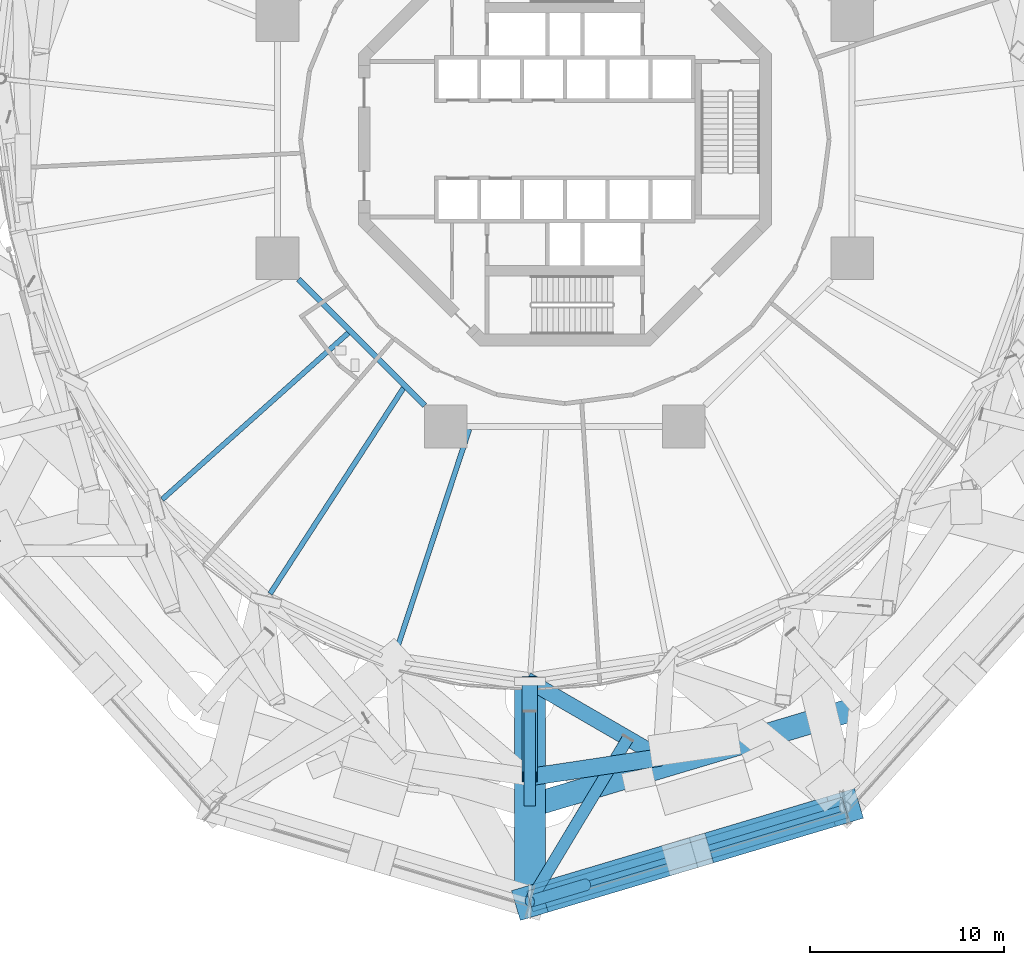
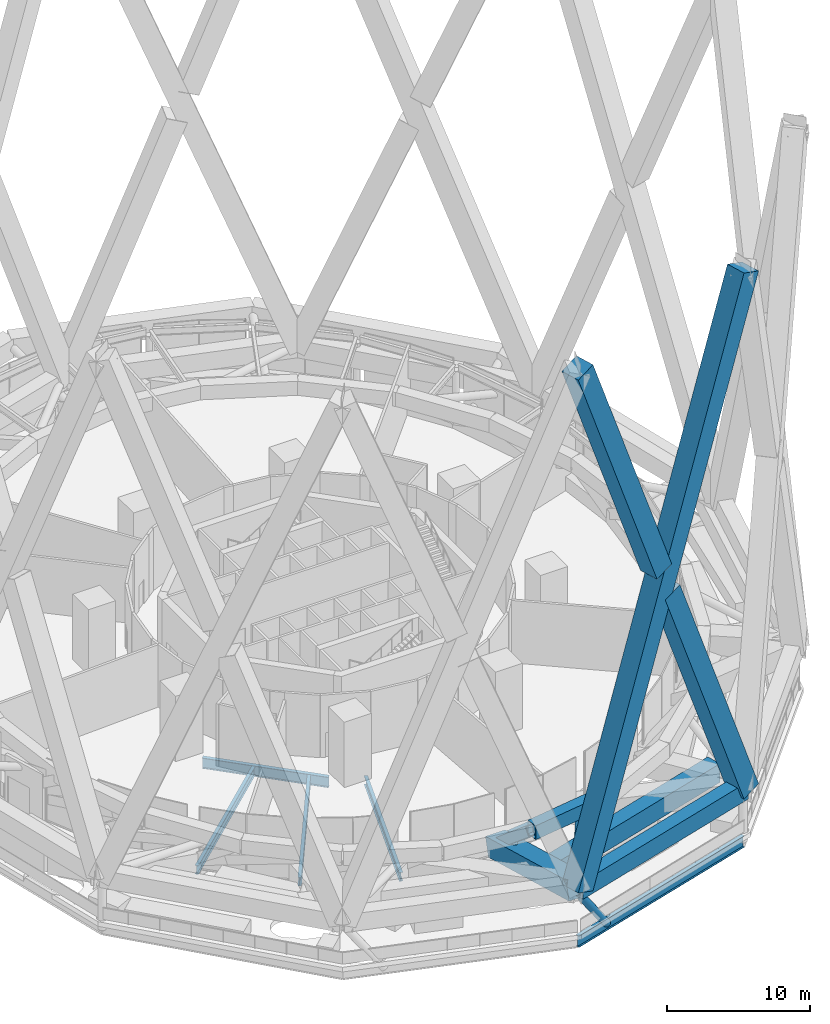
# One storey, part 7 of 65: 9 members, 8 beams.
"""IFC4 building model written with IfcOpenShell, lengths in metres."""

from ifc_helpers import new_model, si_unit, direction, frame, origin, origin_2d, place, context, subcontext, project, spatial, rectangle, hollow_rectangle, hollow_circle, i_section, extrude, material, material_profile, profile_set, type_object, element, save


model = new_model("IFC4")

# Units and contexts
model_context = context("Model", 3, precision=1e-05, world=origin(), true_north=direction((0.0, 1.0)))
body_context = subcontext(model_context, "Body", "Model", "MODEL_VIEW")
ifc_project = project(units=[si_unit("LENGTHUNIT", "METRE"), si_unit("AREAUNIT", "SQUARE_METRE"), si_unit("VOLUMEUNIT", "CUBIC_METRE"), si_unit("PLANEANGLEUNIT", "RADIAN"), si_unit("MASSUNIT", "GRAM", prefix="KILO")], contexts=[model_context])

# Site, building, storey
site_placement = place(None, origin())
site = spatial("IfcSite", under=ifc_project, at=site_placement, CompositionType="ELEMENT")
building_placement = place(site_placement, origin())
building = spatial("IfcBuilding", under=site, at=building_placement, Name="Nagisa Residences", CompositionType="ELEMENT")
storey_placement = place(building_placement, frame((0.0, 0.0, 114.0)))
storey = spatial("IfcBuildingStorey", under=building, at=storey_placement, Name="L28", CompositionType="ELEMENT", Elevation=114.0)

# Beams
ifc_material_1 = material(Name="Steel ASTM A572 Gr 50", Category="steel")
ifc_material_profile_1 = material_profile(ifc_material_1, hollow_rectangle(XDim=0.89990234375, YDim=1.199951171875, WallThickness=0.050048828125, at=origin_2d()), Name="BX 900x1200x50")
ifc_profile_set_1 = profile_set([ifc_material_profile_1], Name="Steel ASTM A572 Gr 50")
beam_type_1 = type_object("IfcBeamType", Name="Belt chord 2 BX 900x1200x50", PredefinedType="BEAM", material=ifc_profile_set_1)
beam_1_placement = place(storey_placement, frame((-1.800048828125, -32.812744140625, 4.739990234375), z_axis=(0.988910056119, 0.14851565879, 0.0), x_axis=(-0.14851565879, 0.988910056119, 0.0)))
element("IfcBeam", 1, at=beam_1_placement, inside=storey, type_object=beam_type_1, Name="beam:L28:bt2t19", PredefinedType="BEAM", context=body_context, shape_type="SweptSolid", body=[
    extrude(hollow_rectangle(XDim=0.89990234375, YDim=1.199951171875, WallThickness=0.050048828125, at=origin_2d()), origin(), (0.0, 0.0, 1.0), 6.81396484375),
])
ifc_material_2 = material(Name="Steel ASTM A572 Gr 50", Category="steel")
ifc_material_profile_2 = material_profile(ifc_material_2, hollow_rectangle(XDim=0.800048828125, YDim=0.800048828125, WallThickness=0.044921875, at=origin_2d()), Name="BX 800x800x45")
ifc_profile_set_2 = profile_set([ifc_material_profile_2], Name="Steel ASTM A572 Gr 50")
beam_type_2 = type_object("IfcBeamType", Name="Belt diagonal 2 BX 800x800x45", PredefinedType="BEAM", material=ifc_profile_set_2)
beam_2_placement = place(storey_placement, frame((-1.800048828125, -27.897216796875, 0.60009765625), z_axis=(0.0, -0.76487277665, 0.644181368514), x_axis=(1.0, 0.0, 0.0)))
element("IfcBeam", 2, at=beam_2_placement, inside=storey, type_object=beam_type_2, Name="beam:L28:bt2da19", PredefinedType="BEAM", context=body_context, shape_type="SweptSolid", body=[
    extrude(hollow_rectangle(XDim=0.800048828125, YDim=0.800048828125, WallThickness=0.044921875, at=origin_2d()), origin(), (0.0, 0.0, 1.0), 6.426513671875),
])
beam_3_placement = place(storey_placement, frame((-1.800048828125, -27.897216796875, 0.60009765625), z_axis=(0.764033645714, -0.442613549324, 0.46941009168), x_axis=(0.50127229556, 0.865289596438, 0.0)))
element("IfcBeam", 3, at=beam_3_placement, inside=storey, type_object=beam_type_2, Name="beam:L28:bt2db19", PredefinedType="BEAM", context=body_context, shape_type="SweptSolid", body=[
    extrude(hollow_rectangle(XDim=0.800048828125, YDim=0.800048828125, WallThickness=0.044921875, at=origin_2d()), origin(), (0.0, 0.0, 1.0), 8.8193359375),
])

# Members
ifc_material_3 = material(Name="Concrete C80", Category="concrete")
ifc_material_profile_3 = material_profile(ifc_material_3, rectangle(XDim=1.60009765625, YDim=1.60009765625, at=origin_2d()), Name="C80 1600x1600")
ifc_profile_set_3 = profile_set([ifc_material_profile_3], Name="Concrete C80")
member_type_1 = type_object("IfcMemberType", Name="Cage bracket 3 C80 1600x1600", PredefinedType="BRACE", material=ifc_profile_set_3)
member_1_placement = place(storey_placement, frame((-1.800048828125, -39.212646484375, 3.699951171875), z_axis=(0.0, 0.964464025571, -0.264214199807), x_axis=(-1.0, 0.0, 0.0)))
element("IfcMember", 4, at=member_1_placement, inside=storey, type_object=member_type_1, Name="mem:L28:cg2ob05", PredefinedType="BRACE", context=body_context, shape_type="SweptSolid", body=[
    extrude(rectangle(XDim=1.60009765625, YDim=1.60009765625, at=origin_2d()), origin(), (0.0, 0.0, 1.0), 11.732421875),
])
ifc_material_4 = material(Name="Concrete C80", Category="concrete")
ifc_material_profile_4 = material_profile(ifc_material_4, rectangle(XDim=1.60009765625, YDim=1.60009765625, at=origin_2d()), Name="C80 1600x1600")
ifc_profile_set_4 = profile_set([ifc_material_profile_4], Name="Concrete C80")
member_type_2 = type_object("IfcMemberType", Name="Cage diagonal 3 C80 1600x1600", PredefinedType="BRACE", material=ifc_profile_set_4)
member_2_placement = place(storey_placement, frame((-1.800048828125, -39.212646484375, 3.699951171875), z_axis=(0.340638088742, 0.101570425034, 0.93469200342), x_axis=(-0.285744691448, 0.958305781736, 0.0)))
element("IfcMember", 5, at=member_2_placement, inside=storey, type_object=member_type_2, Name="mem:L28:cg3d019", PredefinedType="BRACE", context=body_context, shape_type="SweptSolid", body=[
    extrude(rectangle(XDim=1.60009765625, YDim=1.60009765625, at=origin_2d()), origin(), (0.0, 0.0, 1.0), 47.609375),
])
member_3_placement = place(storey_placement, frame((14.41748046875, -34.376953125, 3.699951171875), z_axis=(-0.340629861999, -0.101570534244, 0.934694989656), x_axis=(0.285751311285, -0.958303807829, 0.0)))
element("IfcMember", 6, at=member_3_placement, inside=storey, type_object=member_type_2, Name="mem:L28:cg3d020a", PredefinedType="BRACE", context=body_context, shape_type="SweptSolid", body=[
    extrude(rectangle(XDim=1.60009765625, YDim=1.60009765625, at=origin_2d()), origin(), (0.0, 0.0, 1.0), 22.620849609375),
])
member_4_placement = place(storey_placement, frame((5.905517578125, -36.9150390625, 27.056640625), z_axis=(-0.340642838776, -0.101571185467, 0.934690189674), x_axis=(0.285742996868, -0.958306287019, 0.0)))
element("IfcMember", 7, at=member_4_placement, inside=storey, type_object=member_type_2, Name="mem:L28:cg3d020b", PredefinedType="BRACE", context=body_context, shape_type="SweptSolid", body=[
    extrude(rectangle(XDim=1.60009765625, YDim=1.60009765625, at=origin_2d()), origin(), (0.0, 0.0, 1.0), 22.62060546875),
])
ifc_material_5 = material(Name="Concrete C80", Category="concrete")
ifc_material_profile_5 = material_profile(ifc_material_5, rectangle(XDim=1.199951171875, YDim=1.60009765625, at=origin_2d()), Name="C80 1200x1600")
ifc_profile_set_5 = profile_set([ifc_material_profile_5], Name="Concrete C80")
member_type_3 = type_object("IfcMemberType", Name="Cage ring 2 C80 1200x1600", PredefinedType="CHORD", material=ifc_profile_set_5)
member_5_placement = place(storey_placement, frame((-1.800048828125, -34.29736328125, 1.89990234375), z_axis=(0.958242711372, 0.285956126185, 0.0), x_axis=(-0.285956126185, 0.958242711372, 0.0)))
element("IfcMember", 8, at=member_5_placement, inside=storey, type_object=member_type_3, Name="beam:L28:cg2r110", PredefinedType="CHORD", context=body_context, shape_type="SweptSolid", body=[
    extrude(rectangle(XDim=1.199951171875, YDim=1.60009765625, at=origin_2d()), origin(), (0.0, 0.0, 1.0), 17.529541015625),
])
ifc_material_6 = material(Name="Concrete C80", Category="concrete")
ifc_material_profile_6 = material_profile(ifc_material_6, rectangle(XDim=1.10009765625, YDim=1.5, at=origin_2d()), Name="C80 1100x1500")
ifc_profile_set_6 = profile_set([ifc_material_profile_6], Name="Concrete C80")
member_type_4 = type_object("IfcMemberType", Name="Cage ring 3 C80 1100x1500", PredefinedType="CHORD", material=ifc_profile_set_6)
member_6_placement = place(storey_placement, frame((-1.800048828125, -39.212646484375, 3.699951171875), z_axis=(0.958305781736, 0.285744691448, 0.0), x_axis=(-0.285744691448, 0.958305781736, 0.0)))
element("IfcMember", 9, at=member_6_placement, inside=storey, type_object=member_type_4, Name="beam:L28:cg3r010", PredefinedType="CHORD", context=body_context, shape_type="SweptSolid", body=[
    extrude(rectangle(XDim=1.10009765625, YDim=1.5, at=origin_2d()), origin(), (0.0, 0.0, 1.0), 16.923095703125),
])
ifc_material_7 = material(Name="Steel ASTM A572 Gr 65", Category="steel")
ifc_material_profile_7 = material_profile(ifc_material_7, hollow_circle(Radius=0.304931640625, WallThickness=0.02490234375, at=origin_2d()), Name="CHS 610x25")
ifc_profile_set_7 = profile_set([ifc_material_profile_7], Name="Steel ASTM A572 Gr 65")
member_type_5 = type_object("IfcMemberType", Name="Cage strut CHS 610x25", PredefinedType="STRUT", material=ifc_profile_set_7)
member_7_placement = place(storey_placement, frame((-1.800048828125, -34.29736328125, 1.89990234375), z_axis=(0.0, 1.0, 0.0), x_axis=(-1.0, 0.0, 0.0)))
element("IfcMember", 10, at=member_7_placement, inside=storey, type_object=member_type_5, Name="mem:L28:bt2st2a10", PredefinedType="STRUT", context=body_context, shape_type="SweptSolid", body=[
    extrude(hollow_circle(Radius=0.304931640625, WallThickness=0.02490234375, at=origin_2d()), origin(), (0.0, 0.0, 1.0), 4.856689453125),
])
member_8_placement = place(storey_placement, frame((-1.800048828125, -39.212646484375, 3.699951171875), z_axis=(0.515265500655, 0.857030608459, 0.0), x_axis=(-0.857030608459, 0.515265500655, 0.0)))
element("IfcMember", 11, at=member_8_placement, inside=storey, type_object=member_type_5, Name="mem:L28:bt2st3b10", PredefinedType="STRUT", context=body_context, shape_type="SweptSolid", body=[
    extrude(hollow_circle(Radius=0.304931640625, WallThickness=0.02490234375, at=origin_2d()), origin(), (0.0, 0.0, 1.0), 9.792236328125),
])

# Beams
ifc_material_8 = material(Name="Steel ASTM A572 Gr 50", Category="steel")
ifc_material_profile_8 = material_profile(ifc_material_8, i_section(OverallWidth=0.300048828125, OverallDepth=0.97998046875, WebThickness=0.0166015625, FlangeThickness=0.02587890625, at=origin_2d()), Name="W1000x249")
ifc_profile_set_8 = profile_set([ifc_material_profile_8], Name="Steel ASTM A572 Gr 50")
beam_type_3 = type_object("IfcBeamType", Name="Deck edge beam W1000x249", PredefinedType="BEAM", material=ifc_profile_set_8)
beam_4_placement = place(storey_placement, frame((-1.800048828125, -39.212646484375, -0.889892578125), z_axis=(0.958305781736, 0.285744691448, 0.0), x_axis=(-0.285744691448, 0.958305781736, 0.0)))
element("IfcBeam", 12, at=beam_4_placement, inside=storey, type_object=beam_type_3, Name="beam:L28:deckedge08", PredefinedType="BEAM", context=body_context, shape_type="SweptSolid", body=[
    extrude(i_section(OverallWidth=0.300048828125, OverallDepth=0.97998046875, WebThickness=0.0166015625, FlangeThickness=0.02587890625, at=origin_2d()), origin(), (0.0, 0.0, 1.0), 16.923095703125),
])
ifc_material_9 = material(Name="Steel ASTM A572 Gr 50", Category="steel")
ifc_material_profile_9 = material_profile(ifc_material_9, i_section(OverallWidth=0.303955078125, OverallDepth=0.903076171875, WebThickness=0.01513671875, FlangeThickness=0.02001953125, at=origin_2d()), Name="W920x201")
ifc_profile_set_9 = profile_set([ifc_material_profile_9], Name="Steel ASTM A572 Gr 50")
beam_type_4 = type_object("IfcBeamType", Name="Inner ring beam W920x201", PredefinedType="BEAM", material=ifc_profile_set_9)
beam_5_placement = place(storey_placement, frame((-13.6962890625, -7.208740234375, -0.801513671875), z_axis=(0.707106781187, -0.707106781187, 0.0), x_axis=(0.707106781187, 0.707106781187, 0.0)))
element("IfcBeam", 13, at=beam_5_placement, inside=storey, type_object=beam_type_4, Name="beam:L28:ib5", PredefinedType="BEAM", context=body_context, shape_type="SweptSolid", body=[
    extrude(i_section(OverallWidth=0.303955078125, OverallDepth=0.903076171875, WebThickness=0.01513671875, FlangeThickness=0.02001953125, at=origin_2d()), origin(), (0.0, 0.0, 1.0), 9.1748046875),
])
ifc_material_10 = material(Name="Steel ASTM A572 Gr 50", Category="steel")
ifc_material_profile_10 = material_profile(ifc_material_10, i_section(OverallWidth=0.264892578125, OverallDepth=0.7529296875, WebThickness=0.01318359375, FlangeThickness=0.01708984375, at=origin_2d()), Name="W760x147")
ifc_profile_set_10 = profile_set([ifc_material_profile_10], Name="Steel ASTM A572 Gr 50")
beam_type_5 = type_object("IfcBeamType", Name="Radial beam W760x147", PredefinedType="BEAM", material=ifc_profile_set_10)
beam_6_placement = place(storey_placement, frame((-20.709228515625, -18.526611328125, -0.7265625), z_axis=(0.745288022091, 0.666742652099, 0.0), x_axis=(-0.666742652099, 0.745288022091, 0.0)))
element("IfcBeam", 14, at=beam_6_placement, inside=storey, type_object=beam_type_5, Name="beam:L28:rb16", PredefinedType="BEAM", context=body_context, shape_type="SweptSolid", body=[
    extrude(i_section(OverallWidth=0.264892578125, OverallDepth=0.7529296875, WebThickness=0.01318359375, FlangeThickness=0.01708984375, at=origin_2d()), origin(), (0.0, 0.0, 1.0), 12.849609375),
])
beam_7_placement = place(storey_placement, frame((-15.16357421875, -23.38134765625, -0.7265625), z_axis=(0.544131845264, 0.838999722866, 0.0), x_axis=(-0.838999722866, 0.544131845264, 0.0)))
element("IfcBeam", 15, at=beam_7_placement, inside=storey, type_object=beam_type_5, Name="beam:L28:rb17", PredefinedType="BEAM", context=body_context, shape_type="SweptSolid", body=[
    extrude(i_section(OverallWidth=0.264892578125, OverallDepth=0.7529296875, WebThickness=0.01318359375, FlangeThickness=0.01708984375, at=origin_2d()), origin(), (0.0, 0.0, 1.0), 12.6181640625),
])
beam_8_placement = place(storey_placement, frame((-8.7041015625, -26.431884765625, -0.7265625), z_axis=(0.312776556405, 0.949826734601, 0.0), x_axis=(-0.949826734601, 0.312776556405, 0.0)))
element("IfcBeam", 16, at=beam_8_placement, inside=storey, type_object=beam_type_5, Name="beam:L28:rb18", PredefinedType="BEAM", context=body_context, shape_type="SweptSolid", body=[
    extrude(i_section(OverallWidth=0.264892578125, OverallDepth=0.7529296875, WebThickness=0.01318359375, FlangeThickness=0.01708984375, at=origin_2d()), origin(), (0.0, 0.0, 1.0), 12.125244140625),
])

# Member
ifc_material_11 = material(Name="Steel ASTM A572 Gr 65", Category="steel")
ifc_material_profile_11 = material_profile(ifc_material_11, hollow_circle(Radius=0.304931640625, WallThickness=0.02490234375, at=origin_2d()), Name="CHS 610x25")
ifc_profile_set_11 = profile_set([ifc_material_profile_11], Name="Steel ASTM A572 Gr 65")
member_type_6 = type_object("IfcMemberType", Name="Raked deck hanger CHS 610x25", PredefinedType="BRACE", material=ifc_profile_set_11)
member_9_placement = place(storey_placement, frame((-1.800048828125, -39.212646484375, 3.300048828125), z_axis=(0.557900332154, 0.166337301817, -0.813067722522), x_axis=(-0.285719900795, 0.958313173388, 0.0)))
element("IfcMember", 17, at=member_9_placement, inside=storey, type_object=member_type_6, Name="mem:L28:deckhanger07", PredefinedType="BRACE", context=body_context, shape_type="SweptSolid", body=[
    extrude(hollow_circle(Radius=0.304931640625, WallThickness=0.02490234375, at=origin_2d()), origin(), (0.0, 0.0, 1.0), 5.1533203125),
])

save(model, "model.ifc")
